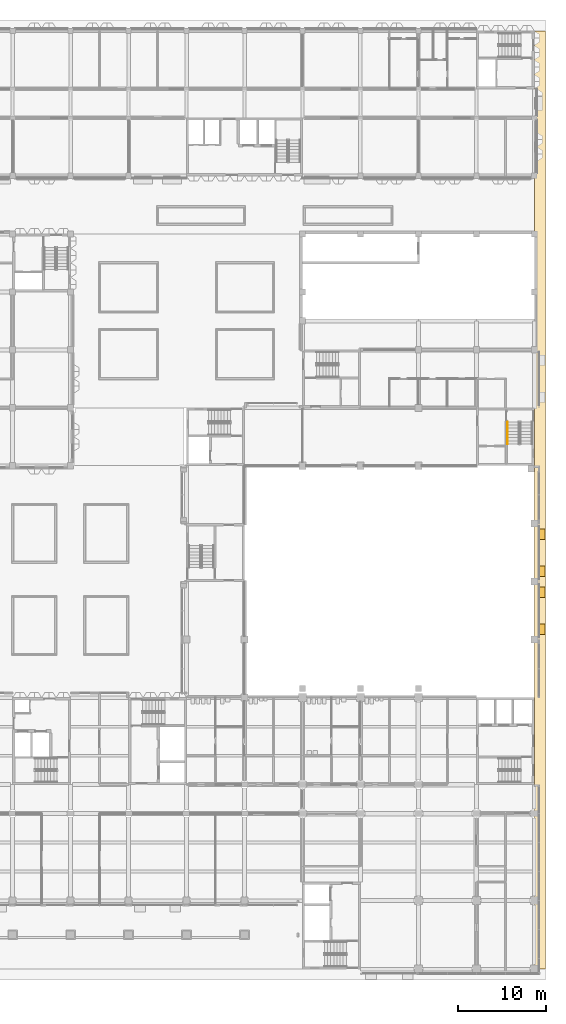
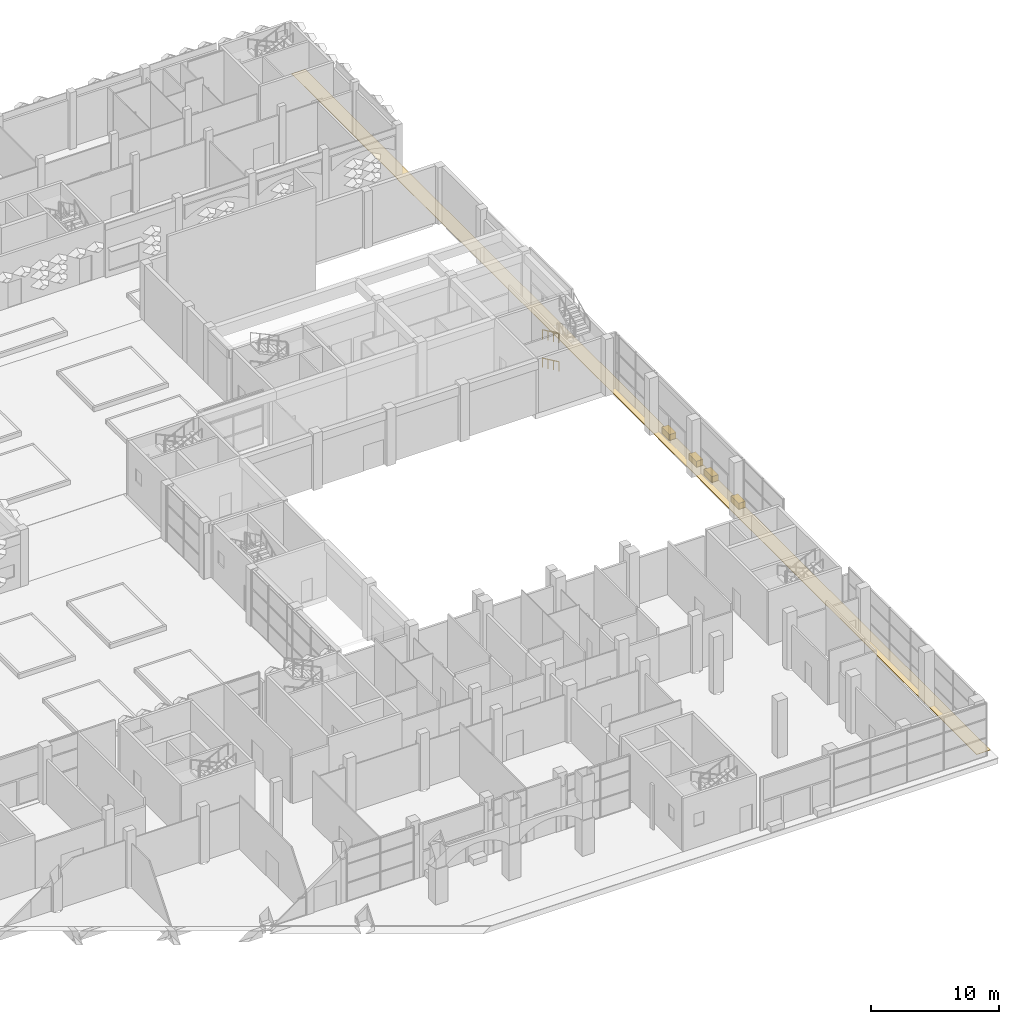
# One storey, part 61 of 85: 5 coverings, 2 railings.
"""IFC4 building model written with IfcOpenShell, lengths in metres."""

from ifc_helpers import new_model, si_unit, direction, frame, origin, origin_2d, place, context, subcontext, project, spatial, polyline, rectangle, circle, outline, extrude, material, layer, layer_set, type_object, element, save


model = new_model("IFC4")

# Units and contexts
model_context = context("Model", 3, precision=1e-05, world=origin(), true_north=direction((0.0, 1.0)))
body_context = subcontext(model_context, "Body", "Model", "MODEL_VIEW")
ifc_project = project(units=[si_unit("LENGTHUNIT", "METRE"), si_unit("AREAUNIT", "SQUARE_METRE"), si_unit("VOLUMEUNIT", "CUBIC_METRE"), si_unit("PLANEANGLEUNIT", "RADIAN"), si_unit("MASSUNIT", "GRAM", prefix="KILO")], contexts=[model_context])

# Site, building, storey
site_placement = place(None, origin())
site = spatial("IfcSite", under=ifc_project, at=site_placement, CompositionType="ELEMENT")
building_placement = place(site_placement, origin())
building = spatial("IfcBuilding", under=site, at=building_placement, Name="Lantern Court Research Institute", CompositionType="ELEMENT")
storey_placement = place(building_placement, origin())
storey = spatial("IfcBuildingStorey", under=building, at=storey_placement, Name="L00", CompositionType="ELEMENT", Elevation=0.0)

# Coverings
ifc_material_1 = material(Name="Glass fibre reinforced concrete cladding", Category="concrete")
ifc_layer_1 = layer(ifc_material_1, 0.699951171875)
ifc_layer_set_1 = layer_set([ifc_layer_1], Name="Glass fibre reinforced concrete cladding")
covering_type_1 = type_object("IfcCoveringType", Name="Entrance planter 700 glass fibre reinforced concrete", PredefinedType="CLADDING", material=ifc_layer_set_1)
for number, where, z_axis, x_axis, name in (
    (1, (80.10009765625, 35.10009765625, 0.0), (0.0, 0.0, 1.0), (1.0, 0.0, 0.0), "Entrance planter 3"),
    (2, (80.10009765625, 30.89990234375, 0.0), (0.0, 0.0, 1.0), (1.0, 0.0, 0.0), "Entrance planter 4"),
    (3, (80.10009765625, 41.699951171875, 0.0), (0.0, 0.0, 1.0), (1.0, 0.0, 0.0), "Entrance planter 5"),
    (4, (80.10009765625, 37.5, 0.0), (0.0, 0.0, 1.0), (1.0, 0.0, 0.0), "Entrance planter 6"),
):
    element("IfcCovering", number, at=place(storey_placement, frame(where, z_axis=z_axis, x_axis=x_axis)), inside=storey, type_object=covering_type_1, Name=name, PredefinedType="CLADDING", context=body_context, shape_type="SweptSolid", body=[
        extrude(rectangle(XDim=0.60009765625, YDim=1.199951171875, at=origin_2d()), origin(), (0.0, 0.0, 1.0), 0.60009765625),
    ])
ifc_material_2 = material(Name="Precast concrete flags C30/37", Category="concrete")
ifc_layer_2 = layer(ifc_material_2, 0.0400390625)
ifc_layer_set_2 = layer_set([ifc_layer_2], Name="Precast concrete flags C30/37")
covering_type_2 = type_object("IfcCoveringType", Name="Footway paving 40 mm", PredefinedType="FLOORING", material=ifc_layer_set_2)
covering_placement = place(storey_placement, origin())
element("IfcCovering", 5, at=covering_placement, inside=storey, type_object=covering_type_2, Name="Footway paving east 1", PredefinedType="FLOORING", context=body_context, shape_type="SweptSolid", body=[
    extrude(outline(polyline([(79.199951171875, 82.47998046875), (79.201904296875, 82.47998046875), (79.2041015625, 82.47998046875), (79.2060546875, 82.48095703125), (79.2080078125, 82.48193359375), (79.208984375, 82.48193359375), (79.2109375, 82.48291015625), (79.212890625, 82.485107421875), (79.214111328125, 82.486083984375), (79.215087890625, 82.487060546875), (79.217041015625, 82.489013671875), (79.218017578125, 82.490966796875), (79.218017578125, 82.491943359375), (79.218994140625, 82.493896484375), (79.219970703125, 82.49609375), (79.219970703125, 82.498046875), (79.219970703125, 82.5), (79.219970703125, 99.0), (80.447021484375, 99.0), (80.447021484375, -7.800048828125), (79.219970703125, -7.800048828125), (79.219970703125, 75.89990234375), (79.219970703125, 75.902099609375), (79.219970703125, 75.904052734375), (79.218994140625, 75.906005859375), (79.218017578125, 75.907958984375), (79.218017578125, 75.908935546875), (79.217041015625, 75.910888671875), (79.215087890625, 75.9130859375), (79.214111328125, 75.9140625), (79.212890625, 75.9150390625), (79.2109375, 75.9169921875), (79.208984375, 75.91796875), (79.2080078125, 75.91796875), (79.2060546875, 75.9189453125), (79.2041015625, 75.919921875), (79.201904296875, 75.919921875), (79.199951171875, 75.919921875), (79.199951171875, 82.47998046875)])), origin(), (0.0, 0.0, 1.0), 0.0400390625),
])

# Railings
ifc_material_3 = material(Name="Stainless steel 316", Category="steel")
railing_type = type_object("IfcRailingType", Name="Stair handrail 900 steel", PredefinedType="HANDRAIL", material=ifc_material_3)
for number, where, name in (
    (6, (76.125, 54.5, 0.168701171875), "L00 ST-H2 stair handrail 1"),
    (7, (76.125, 54.5, 2.86865234375), "L00 ST-H2 stair handrail 3"),
):
    element("IfcRailing", number, at=place(storey_placement, frame(where)), inside=storey, type_object=railing_type, Name=name, PredefinedType="HANDRAIL", context=body_context, shape_type="SweptSolid", body=[
        extrude(circle(Radius=0.02392578125, at=origin_2d()), frame((0.0, 0.0, 0.8759765625), z_axis=(0.0, -0.905439972488, 0.424474329284), x_axis=(1.0, 0.0, 0.0)), (0.0, 0.0, 1.0), 2.783203125),
        extrude(circle(Radius=0.02099609375, at=origin_2d()), origin(), (0.0, 0.0, 1.0), 0.851806640625),
        extrude(circle(Radius=0.02099609375, at=origin_2d()), frame((0.0, -0.840087890625, 0.393798828125)), (0.0, 0.0, 1.0), 0.851806640625),
        extrude(circle(Radius=0.02099609375, at=origin_2d()), frame((0.0, -1.679931640625, 0.78759765625)), (0.0, 0.0, 1.0), 0.851806640625),
        extrude(circle(Radius=0.02099609375, at=origin_2d()), frame((0.0, -2.52001953125, 1.181396484375)), (0.0, 0.0, 1.0), 0.851806640625),
    ])

save(model, "model.ifc")
